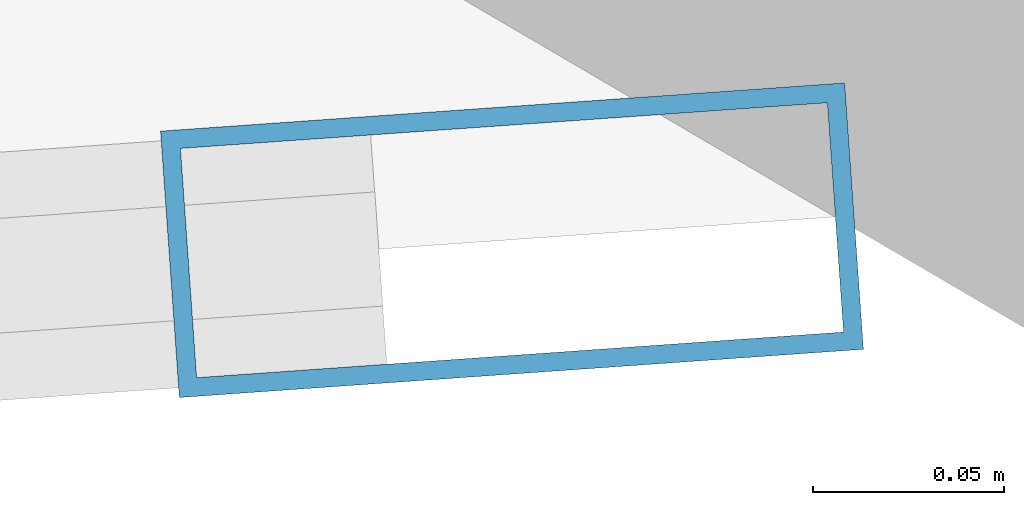
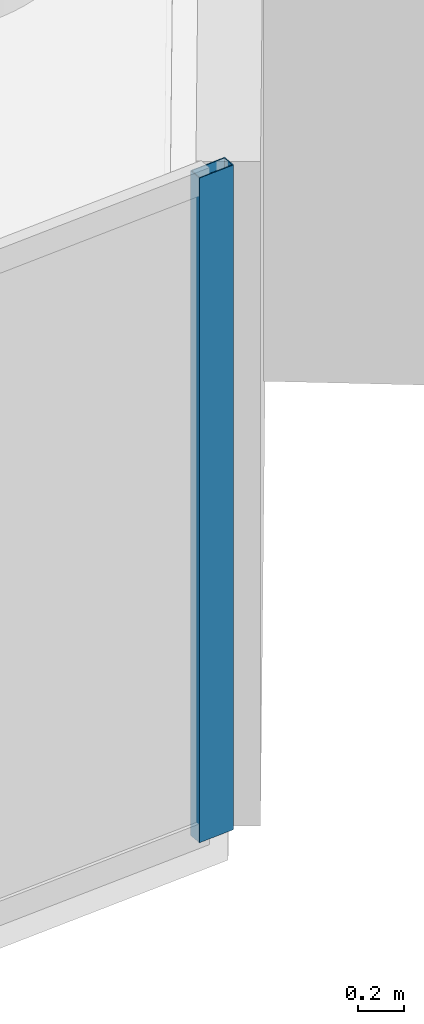
# One storey, part 13 of 24: 1 member, 1 element without a shape of its own.
"""IFC4 building model written with IfcOpenShell, lengths in metres."""

from ifc_helpers import new_model, si_unit, direction, frame, origin, origin_2d, place, context, subcontext, project, spatial, hollow_rectangle, extrude, material, layer, layer_set, material_profile, profile_set, type_object, element, aggregate, save


model = new_model("IFC4")

# Units and contexts
model_context = context("Model", 3, precision=1e-05, world=origin(), true_north=direction((0.0, 1.0)))
body_context = subcontext(model_context, "Body", "Model", "MODEL_VIEW")
ifc_project = project(units=[si_unit("LENGTHUNIT", "METRE"), si_unit("AREAUNIT", "SQUARE_METRE"), si_unit("VOLUMEUNIT", "CUBIC_METRE"), si_unit("PLANEANGLEUNIT", "RADIAN"), si_unit("MASSUNIT", "GRAM", prefix="KILO")], contexts=[model_context])

# Site, building, storey
site_placement = place(None, origin())
site = spatial("IfcSite", under=ifc_project, at=site_placement, CompositionType="ELEMENT")
building_placement = place(site_placement, origin())
building = spatial("IfcBuilding", under=site, at=building_placement, Name="Qianvela Tower", CompositionType="ELEMENT")
storey_placement = place(building_placement, frame((0.0, 0.0, 59.89990234375)))
storey = spatial("IfcBuildingStorey", under=building, at=storey_placement, Name="L14", CompositionType="ELEMENT", Elevation=59.89990234375)

# Curtain wall, member
ifc_material_1 = material(Name="Anodised Architectural Aluminium and Low-E Glass", Category="aluminium")
ifc_layer = layer(ifc_material_1, 0.179931640625)
ifc_layer_set = layer_set([ifc_layer], Name="Anodised Architectural Aluminium and Low-E Glass")
curtain_wall_type = type_object("IfcCurtainWallType", Name="CW-COLIV-Z12", PredefinedType="USERDEFINED", material=ifc_layer_set)
curtain_wall_placement = place(storey_placement, origin())
curtain_wall = element("IfcCurtainWall", 1, at=curtain_wall_placement, inside=storey, type_object=curtain_wall_type, Name="L14 CW-COLIV-Z12 Curtain Wall 06C", ObjectType="CURTAIN_WALL_SYSTEM", PredefinedType="USERDEFINED")
ifc_material_2 = material(Name="Anodised Architectural Aluminium 6063-T6", Category="aluminium")
ifc_material_profile = material_profile(ifc_material_2, hollow_rectangle(XDim=0.070068359375, YDim=0.179931640625, WallThickness=0.0048828125, at=origin_2d()), Name="ALU-MULL-70x180")
ifc_profile_set = profile_set([ifc_material_profile], Name="Anodised Architectural Aluminium 6063-T6")
member_type = type_object("IfcMemberType", Name="CW-COLIV-Z12-MULL", PredefinedType="MULLION", material=ifc_profile_set)
member_placement = place(storey_placement, frame((54.003173828125, 13.873779296875, 0.0), z_axis=(0.0, 0.0, 1.0), x_axis=(-0.070333724777, 0.997523517096, 0.0)))
member = element("IfcMember", 2, at=member_placement, type_object=member_type, Name="CW-3 mullion 2", PredefinedType="MULLION", context=body_context, shape_type="SweptSolid", body=[
    extrude(hollow_rectangle(XDim=0.070068359375, YDim=0.179931640625, WallThickness=0.0048828125, at=origin_2d()), origin(), (0.0, 0.0, 1.0), 3.52001953125),
])
aggregate(curtain_wall, [member])

save(model, "model.ifc")
